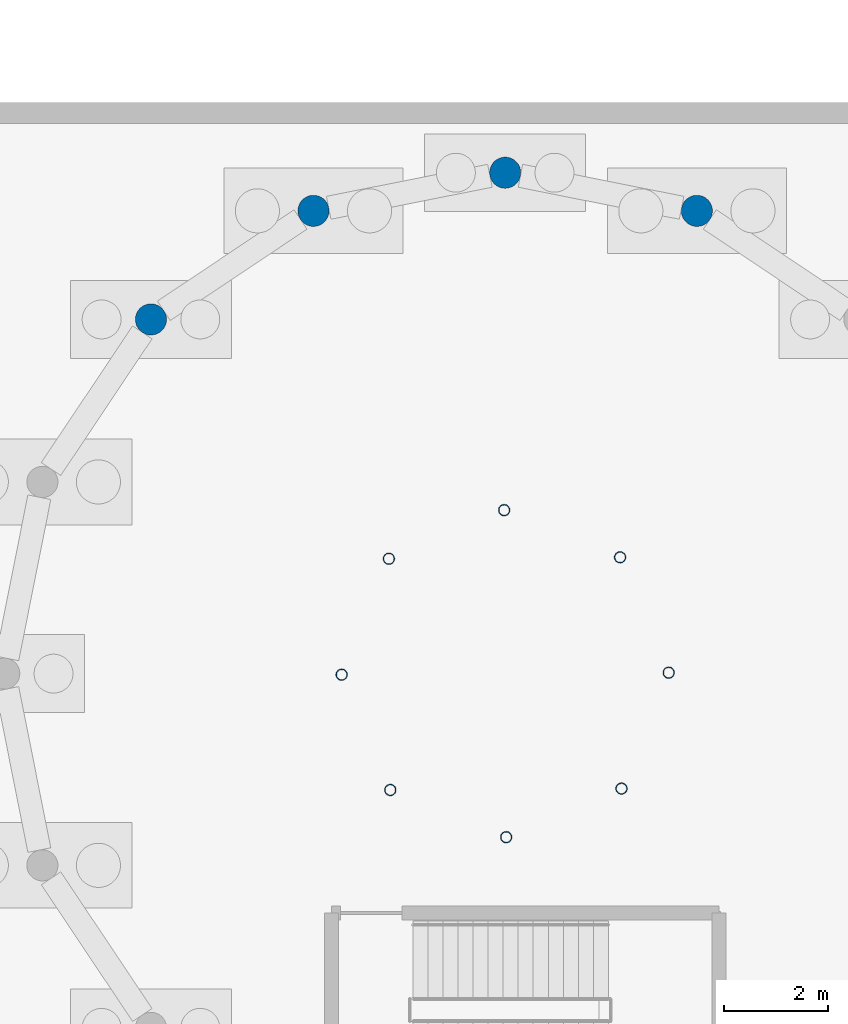
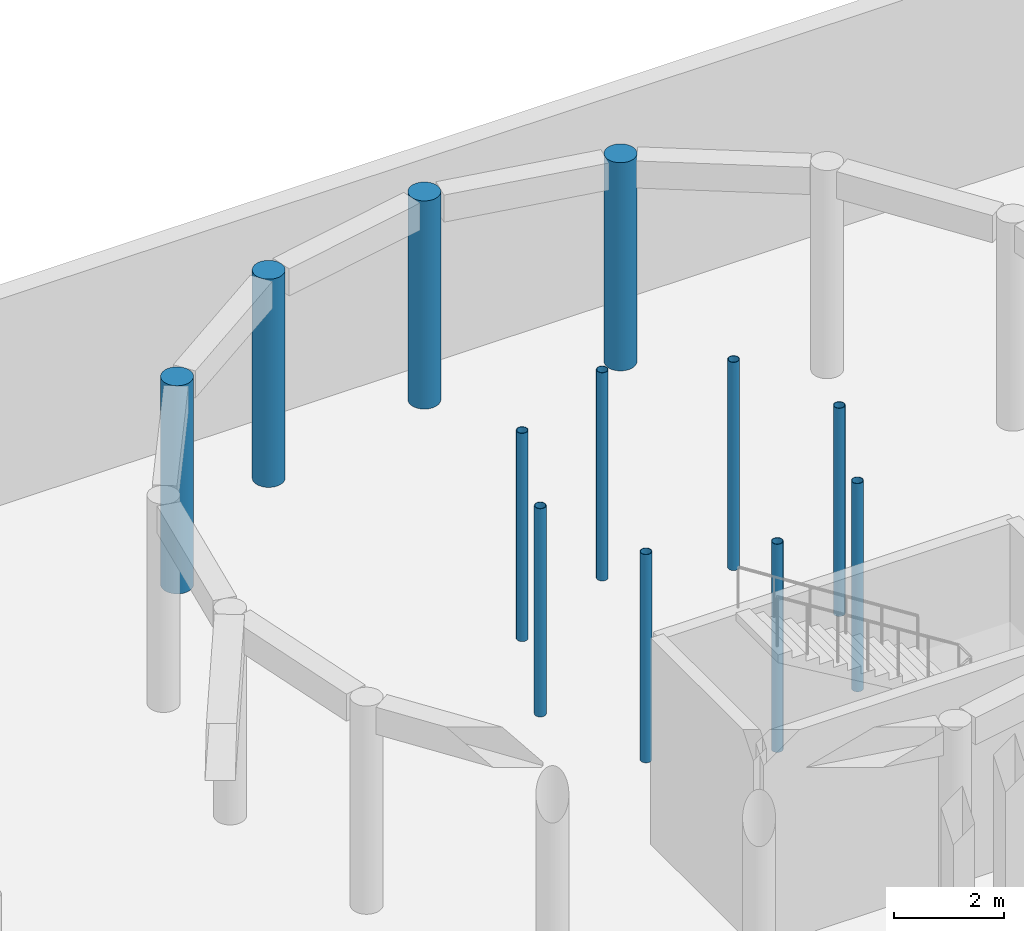
# One storey, part 12 of 34: 12 columns.
"""IFC4 building model written with IfcOpenShell, lengths in metres."""

import ifcopenshell
import ifcopenshell.guid

model = None  # the IFC model being written
_history = None  # IfcOwnerHistory: only IFC2X3 demands one
_inside = {}  # id of a spatial element -> (the spatial element, [elements in it])
_under = {}  # id of a project, library or spatial element -> (it, [spatial elements below it])
_declared = {}  # id of a project -> (the project, [libraries it declares])
_typed = {}  # id of a type object -> (the type object, [elements of that type])
_made_of = {}  # id of a material, layer set ... -> (it, [elements and type objects made of it])


def new_model(schema):
    """Start an empty IFC model of exactly this schema.

    Asked for "IFC4X3", IfcOpenShell would pick the latest addendum, in which some entities
    have other attributes; the version numbers below select the first issue.
    IFC2X3 requires an IfcOwnerHistory on every rooted entity: one is made here for all.
    """
    global model, _history
    if schema == "IFC4X3":
        model = ifcopenshell.file(schema_version=(4, 3, 0, 0))
    else:
        model = ifcopenshell.file(schema=schema)
    _inside.clear()
    _under.clear()
    _declared.clear()
    _typed.clear()
    _made_of.clear()
    _history = None
    if model.schema == "IFC2X3":
        org = make("IfcOrganization", Name="unknown")
        user = make(
            "IfcPersonAndOrganization",
            ThePerson=make("IfcPerson", FamilyName="unknown"),
            TheOrganization=org,
        )
        app = make(
            "IfcApplication",
            ApplicationDeveloper=org,
            Version="unknown",
            ApplicationFullName="unknown",
            ApplicationIdentifier="unknown",
        )
        _history = make(
            "IfcOwnerHistory",
            OwningUser=user,
            OwningApplication=app,
            ChangeAction="ADDED",
            CreationDate=0,
        )
    return model


def make(cls, **values):
    """One entity of the class cls with the attributes given. An attribute that is None is left unset."""
    return model.create_entity(
        cls, **{name: value for name, value in values.items() if value is not None}
    )


def rooted(cls, **values):
    """An entity with a GlobalId (a new one), such as an element, a storey or a relation."""
    return make(cls, GlobalId=ifcopenshell.guid.new(), OwnerHistory=_history, **values)


def si_unit(unit_type, name, prefix=None):
    """IfcSIUnit, for example si_unit("LENGTHUNIT", "METRE", prefix="MILLI")."""
    return make("IfcSIUnit", UnitType=unit_type, Prefix=prefix, Name=name)


def assignment(units):
    """IfcUnitAssignment: the units of a project."""
    return None if units is None else make("IfcUnitAssignment", Units=units)


def point(xyz):
    """IfcCartesianPoint."""
    return None if xyz is None else make("IfcCartesianPoint", Coordinates=xyz)


def direction(xyz):
    """IfcDirection."""
    return None if xyz is None else make("IfcDirection", DirectionRatios=xyz)


def frame(location, z_axis=None, x_axis=None):
    """IfcAxis2Placement3D, a coordinate frame: its origin and axes. An axis left out is left unset."""
    return make(
        "IfcAxis2Placement3D",
        Location=point(location),
        Axis=direction(z_axis),
        RefDirection=direction(x_axis),
    )


def frame_2d(location, x_axis=None):
    """IfcAxis2Placement2D, a coordinate frame in the plane: its origin and x axis."""
    return make(
        "IfcAxis2Placement2D", Location=point(location), RefDirection=direction(x_axis)
    )


def origin():
    """The frame at (0, 0, 0) with its axes left unset."""
    return frame((0.0, 0.0, 0.0))


def origin_2d():
    """The frame at (0, 0) in the plane with its x axis left unset."""
    return frame_2d((0.0, 0.0))


def place(relative_to, where):
    """IfcLocalPlacement: puts the frame where relative to a parent placement (None: the world)."""
    return make(
        "IfcLocalPlacement", PlacementRelTo=relative_to, RelativePlacement=where
    )


def context(
    kind, dimensions, precision=None, world=None, true_north=None, identifier=None
):
    """IfcGeometricRepresentationContext, for example the 3D "Model" context."""
    return make(
        "IfcGeometricRepresentationContext",
        ContextIdentifier=identifier,
        ContextType=kind,
        CoordinateSpaceDimension=dimensions,
        Precision=precision,
        WorldCoordinateSystem=world,
        TrueNorth=true_north,
    )


def subcontext(parent, identifier, kind, view, scale=None):
    """IfcGeometricRepresentationSubContext, for example "Body" below "Model"."""
    return make(
        "IfcGeometricRepresentationSubContext",
        ContextIdentifier=identifier,
        ContextType=kind,
        ParentContext=parent,
        TargetScale=scale,
        TargetView=view,
    )


def project(units=None, contexts=None):
    """IfcProject with its units and contexts."""
    return rooted(
        "IfcProject",
        Name="project",
        RepresentationContexts=contexts,
        UnitsInContext=assignment(units),
    )


def spatial(cls, under=None, at=None, **own):
    """A site, building, storey or space (cls), placed at a placement, below another one or the project."""
    s = rooted(cls, ObjectPlacement=at, **own)
    if under is not None:
        _under.setdefault(under.id(), (under, []))[1].append(s)
    return s


def profile(cls, at=None, kind="AREA", **sizes):
    """A parametric profile (cls). Its sizes go by their IFC names, for example OverallWidth=200.0."""
    return make(cls, ProfileType=kind, Position=at, **sizes)


def circle(**sizes):
    """IfcCircleProfileDef."""
    return profile("IfcCircleProfileDef", **sizes)


def hollow_circle(**sizes):
    """IfcCircleHollowProfileDef."""
    return profile("IfcCircleHollowProfileDef", **sizes)


def extrude(swept, where, along, depth):
    """IfcExtrudedAreaSolid: the profile swept, set in the frame where, extruded along a direction by depth."""
    return make(
        "IfcExtrudedAreaSolid",
        SweptArea=swept,
        Position=where,
        ExtrudedDirection=direction(along),
        Depth=depth,
    )


def shape(context_of_items, identifier, shape_type, items):
    """IfcShapeRepresentation: the items that make up one representation, for example the "Body"."""
    return make(
        "IfcShapeRepresentation",
        ContextOfItems=context_of_items,
        RepresentationIdentifier=identifier,
        RepresentationType=shape_type,
        Items=items,
    )


def material(Name=None, Category=None):
    """IfcMaterial."""
    return make("IfcMaterial", Name=Name, Category=Category)


def material_profile(
    of_material, cross_section, Name=None, Category=None, Priority=None
):
    """IfcMaterialProfile: a cross section and its material."""
    return make(
        "IfcMaterialProfile",
        Name=Name,
        Material=of_material,
        Profile=cross_section,
        Priority=Priority,
        Category=Category,
    )


def profile_set(profiles, Name=None, composite=None):
    """IfcMaterialProfileSet."""
    return make(
        "IfcMaterialProfileSet",
        Name=Name,
        MaterialProfiles=profiles,
        CompositeProfile=composite,
    )


def made_of(thing, what):
    """Note that an element or type object is made of a material, layer set ...; save() writes the relation."""
    if what is not None:
        _made_of.setdefault(what.id(), (what, []))[1].append(thing)
    return thing


def type_object(cls, material=None, **own):
    """A type object (cls), such as IfcWallType, which elements share."""
    return made_of(rooted(cls, **own), material)


def element(
    cls,
    number,
    at=None,
    inside=None,
    cuts=None,
    type_object=None,
    material=None,
    context=None,
    identifier="Body",
    shape_type=None,
    held_by="IfcProductDefinitionShape",
    body=None,
    shapes=None,
    **own,
):
    """One element of the class cls, such as IfcWall. Its Tag is "e" and its number.

    at: its placement. inside: the storey or other place that contains it. cuts: it is an
    opening in that element (IfcRelVoidsElement). A single representation is given by context,
    identifier, shape_type and body (its items); several are given by shapes. held_by: the class
    of the entity that holds the representations. save() writes the other relations.
    """
    e = rooted(cls, Tag="e%d" % number, ObjectPlacement=at, **own)
    if body is not None:
        shapes = [shape(context, identifier, shape_type, body)]
    if shapes is not None:
        e.Representation = make(held_by, Representations=shapes)
    if inside is not None:
        _inside.setdefault(inside.id(), (inside, []))[1].append(e)
    if cuts is not None:
        rooted(
            "IfcRelVoidsElement", RelatingBuildingElement=cuts, RelatedOpeningElement=e
        )
    if type_object is not None:
        _typed.setdefault(type_object.id(), (type_object, []))[1].append(e)
    return made_of(e, material)


def aggregate(whole, parts):
    """IfcRelAggregates: a whole, such as a stair, and the parts it consists of."""
    return rooted("IfcRelAggregates", RelatingObject=whole, RelatedObjects=parts)


def save(model, path):
    """Write the relations noted so far, then the file.

    IfcRelAggregates (storeys below a building ...), IfcRelContainedInSpatialStructure (elements
    in a storey), IfcRelDefinesByType, IfcRelAssociatesMaterial and IfcRelDeclares: one each for
    every whole, place, type object, material and project.
    """
    for whole, parts in _under.values():
        aggregate(whole, parts)
    for where, things in _inside.values():
        rooted(
            "IfcRelContainedInSpatialStructure",
            RelatedElements=things,
            RelatingStructure=where,
        )
    for kind, things in _typed.values():
        rooted("IfcRelDefinesByType", RelatedObjects=things, RelatingType=kind)
    for what, things in _made_of.values():
        rooted("IfcRelAssociatesMaterial", RelatedObjects=things, RelatingMaterial=what)
    for by, libraries in _declared.values():
        rooted("IfcRelDeclares", RelatingContext=by, RelatedDefinitions=libraries)
    model.write(path)


model = new_model("IFC4")

# Units and contexts
model_context = context("Model", 3, precision=1e-05, world=origin(), true_north=direction((0.0, 1.0)))
body_context = subcontext(model_context, "Body", "Model", "MODEL_VIEW")
ifc_project = project(units=[si_unit("LENGTHUNIT", "METRE"), si_unit("AREAUNIT", "SQUARE_METRE"), si_unit("VOLUMEUNIT", "CUBIC_METRE"), si_unit("PLANEANGLEUNIT", "RADIAN"), si_unit("MASSUNIT", "GRAM", prefix="KILO")], contexts=[model_context])

# Site, building, storey
site_placement = place(None, origin())
site = spatial("IfcSite", under=ifc_project, at=site_placement, CompositionType="ELEMENT")
building_placement = place(site_placement, origin())
building = spatial("IfcBuilding", under=site, at=building_placement, Name="Kharisveld Research Institute", CompositionType="ELEMENT")
storey_placement = place(building_placement, frame((0.0, 0.0, -4.800048828125)))
storey = spatial("IfcBuildingStorey", under=building, at=storey_placement, Name="B1", CompositionType="ELEMENT", Elevation=-4.800048828125)

# Columns
ifc_material_1 = material(Name="Concrete C40/50", Category="concrete")
ifc_material_profile_1 = material_profile(ifc_material_1, circle(Radius=0.300048828125, at=origin_2d()))
ifc_profile_set_1 = profile_set([ifc_material_profile_1], Name="Concrete C40/50")
column_type_1 = type_object("IfcColumnType", Name="COL_RC_D600", PredefinedType="COLUMN", material=ifc_profile_set_1)
for number, where, z_axis, x_axis, name in (
    (1, (63.19287109375, 59.71533203125, 0.0), (0.0, 0.0, 1.0), (1.0, 0.0, 0.0), "COL:V6:B1:R03"),
    (2, (59.5, 60.449951171875, 0.0), (0.0, 0.0, 1.0), (1.0, 0.0, 0.0), "COL:V6:B1:R04"),
    (3, (55.80712890625, 59.71533203125, 0.0), (0.0, 0.0, 1.0), (1.0, 0.0, 0.0), "COL:V6:B1:R05"),
    (4, (52.676513671875, 57.62353515625, 0.0), (0.0, 0.0, 1.0), (1.0, 0.0, 0.0), "COL:V6:B1:R06"),
):
    element("IfcColumn", number, at=place(storey_placement, frame(where, z_axis=z_axis, x_axis=x_axis)), inside=storey, type_object=column_type_1, Name=name, PredefinedType="COLUMN", context=body_context, shape_type="SweptSolid", body=[
        extrude(circle(Radius=0.300048828125, at=origin_2d()), origin(), (0.0, 0.0, 1.0), 4.6201171875),
    ])
ifc_material_2 = material(Name="Steel S355J2H", Category="steel")
ifc_material_profile_2 = material_profile(ifc_material_2, hollow_circle(Radius=0.109619140625, WallThickness=0.010009765625, at=origin_2d()))
ifc_profile_set_2 = profile_set([ifc_material_profile_2], Name="Steel S355J2H")
column_type_2 = type_object("IfcColumnType", Name="COL_ST_CHS219", PredefinedType="COLUMN", material=ifc_profile_set_2)
for number, where, z_axis, x_axis, name in (
    (5, (62.64990234375, 50.8193359375, 0.0), (0.0, 0.0, 1.0), (1.0, 0.0, 0.0), "COL:V6:B1:OC00"),
    (6, (61.713623046875, 53.041015625, 0.0), (0.0, 0.0, 1.0), (1.0, 0.0, 0.0), "COL:V6:B1:OC02"),
    (7, (59.480712890625, 53.949951171875, 0.0), (0.0, 0.0, 1.0), (1.0, 0.0, 0.0), "COL:V6:B1:OC04"),
    (8, (57.259033203125, 53.013671875, 0.0), (0.0, 0.0, 1.0), (1.0, 0.0, 0.0), "COL:V6:B1:OC06"),
    (9, (56.35009765625, 50.78076171875, 0.0), (0.0, 0.0, 1.0), (1.0, 0.0, 0.0), "COL:V6:B1:OC08"),
    (10, (57.286376953125, 48.55908203125, 0.0), (0.0, 0.0, 1.0), (1.0, 0.0, 0.0), "COL:V6:B1:OC10"),
    (11, (59.519287109375, 47.650146484375, 0.0), (0.0, 0.0, 1.0), (1.0, 0.0, 0.0), "COL:V6:B1:OC12"),
    (12, (61.740966796875, 48.586181640625, 0.0), (0.0, 0.0, 1.0), (1.0, 0.0, 0.0), "COL:V6:B1:OC14"),
):
    element("IfcColumn", number, at=place(storey_placement, frame(where, z_axis=z_axis, x_axis=x_axis)), inside=storey, type_object=column_type_2, Name=name, PredefinedType="COLUMN", context=body_context, shape_type="SweptSolid", body=[
        extrude(hollow_circle(Radius=0.109619140625, WallThickness=0.010009765625, at=origin_2d()), origin(), (0.0, 0.0, 1.0), 4.6201171875),
    ])

save(model, "model.ifc")
